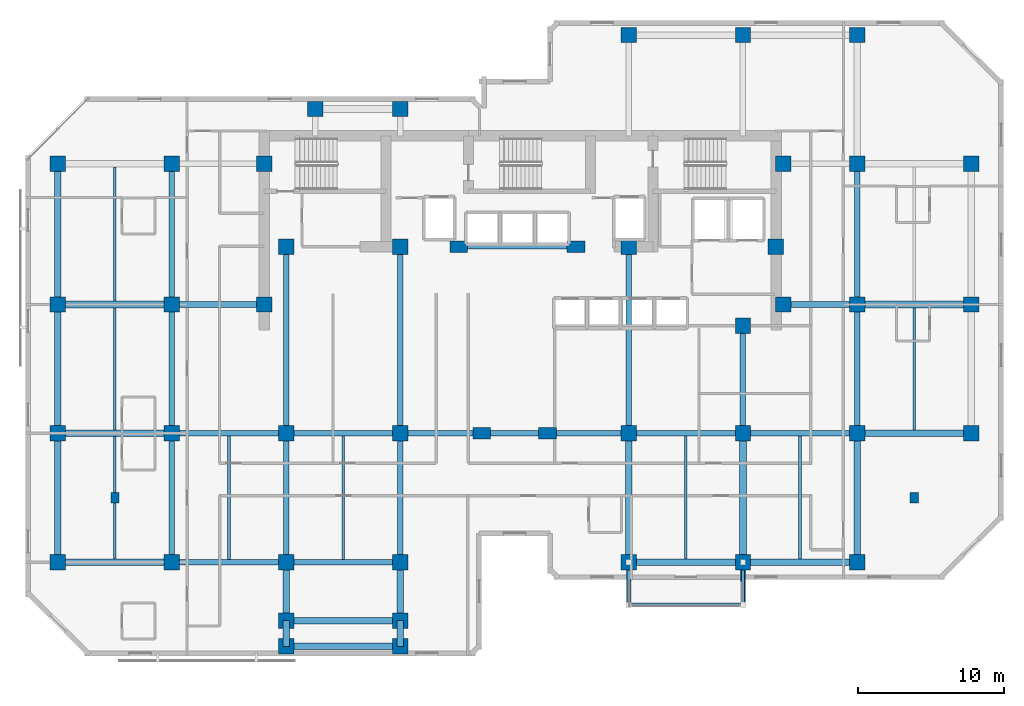
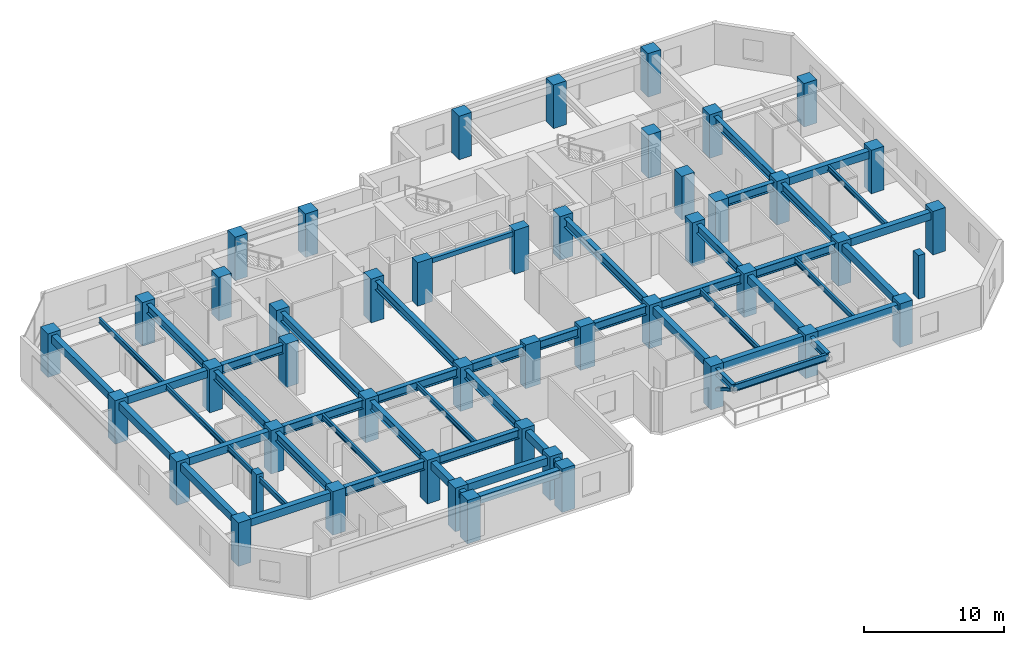
# One storey, part 1 of 11: 53 beams, 47 columns, 2 members.
"""IFC4 building model written with IfcOpenShell, lengths in metres."""

from ifc_helpers import new_model, si_unit, direction, frame, origin, origin_2d, place, context, subcontext, project, spatial, rectangle, hollow_rectangle, i_section, extrude, material, material_profile, profile_set, type_object, element, save


model = new_model("IFC4")

# Units and contexts
model_context = context("Model", 3, precision=1e-05, world=origin(), true_north=direction((0.0, 1.0)))
body_context = subcontext(model_context, "Body", "Model", "MODEL_VIEW")
ifc_project = project(units=[si_unit("LENGTHUNIT", "METRE"), si_unit("AREAUNIT", "SQUARE_METRE"), si_unit("VOLUMEUNIT", "CUBIC_METRE"), si_unit("PLANEANGLEUNIT", "RADIAN"), si_unit("MASSUNIT", "GRAM", prefix="KILO")], contexts=[model_context])

# Site, building, storey
site_placement = place(None, origin())
site = spatial("IfcSite", under=ifc_project, at=site_placement, CompositionType="ELEMENT")
building_placement = place(site_placement, origin())
building = spatial("IfcBuilding", under=site, at=building_placement, Name="Kestravale Grand Hotel", CompositionType="ELEMENT")
storey_placement = place(building_placement, frame((0.0, 0.0, 157.39990234375)))
storey = spatial("IfcBuildingStorey", under=building, at=storey_placement, Name="L39", CompositionType="ELEMENT", Elevation=157.39990234375)

# Columns
ifc_material_1 = material(Name="Concrete f'c 60 MPa", Category="concrete")
ifc_material_profile_1 = material_profile(ifc_material_1, rectangle(XDim=1.050048828125, YDim=1.050048828125, at=origin_2d()))
ifc_profile_set_1 = profile_set([ifc_material_profile_1], Name="Concrete f'c 60 MPa")
column_type_1 = type_object("IfcColumnType", Name="C-Z3-1050", PredefinedType="COLUMN", material=ifc_profile_set_1)
for number, where, z_axis, x_axis, name in (
    (1, (7.800048828125, 11.199951171875, 0.0), (0.0, 0.0, 1.0), (1.0, 0.0, 0.0), "L39 column 2-C"),
    (2, (7.800048828125, 20.0, 0.0), (0.0, 0.0, 1.0), (1.0, 0.0, 0.0), "L39 column 2-D"),
    (3, (7.800048828125, 28.800048828125, 0.0), (0.0, 0.0, 1.0), (1.0, 0.0, 0.0), "L39 column 2-E"),
    (4, (7.800048828125, 38.39990234375, 0.0), (0.0, 0.0, 1.0), (1.0, 0.0, 0.0), "L39 column 2-F"),
    (5, (15.60009765625, 11.199951171875, 0.0), (0.0, 0.0, 1.0), (1.0, 0.0, 0.0), "L39 column 3-C"),
    (6, (15.60009765625, 20.0, 0.0), (0.0, 0.0, 1.0), (1.0, 0.0, 0.0), "L39 column 3-D"),
    (7, (15.60009765625, 28.800048828125, 0.0), (0.0, 0.0, 1.0), (1.0, 0.0, 0.0), "L39 column 3-E"),
    (8, (15.60009765625, 38.39990234375, 0.0), (0.0, 0.0, 1.0), (1.0, 0.0, 0.0), "L39 column 3-F"),
    (9, (23.39990234375, 11.199951171875, 0.0), (0.0, 0.0, 1.0), (1.0, 0.0, 0.0), "L39 column 4-C"),
    (10, (23.39990234375, 20.0, 0.0), (0.0, 0.0, 1.0), (1.0, 0.0, 0.0), "L39 column 4-D"),
    (11, (31.199951171875, 11.199951171875, 0.0), (0.0, 0.0, 1.0), (1.0, 0.0, 0.0), "L39 column 5-C"),
    (12, (31.199951171875, 20.0, 0.0), (0.0, 0.0, 1.0), (1.0, 0.0, 0.0), "L39 column 5-D"),
    (13, (46.800048828125, 11.199951171875, 0.0), (0.0, 0.0, 1.0), (1.0, 0.0, 0.0), "L39 column 8-C"),
    (14, (46.800048828125, 20.0, 0.0), (0.0, 0.0, 1.0), (1.0, 0.0, 0.0), "L39 column 8-D"),
    (15, (46.800048828125, 47.199951171875, 0.0), (0.0, 0.0, 1.0), (1.0, 0.0, 0.0), "L39 column 8-G"),
    (16, (54.60009765625, 11.199951171875, 0.0), (0.0, 0.0, 1.0), (1.0, 0.0, 0.0), "L39 column 9-C"),
    (17, (54.60009765625, 20.0, 0.0), (0.0, 0.0, 1.0), (1.0, 0.0, 0.0), "L39 column 9-D"),
    (18, (54.60009765625, 47.199951171875, 0.0), (0.0, 0.0, 1.0), (1.0, 0.0, 0.0), "L39 column 9-G"),
    (19, (62.39990234375, 11.199951171875, 0.0), (0.0, 0.0, 1.0), (1.0, 0.0, 0.0), "L39 column 10-C"),
    (20, (62.39990234375, 20.0, 0.0), (0.0, 0.0, 1.0), (1.0, 0.0, 0.0), "L39 column 10-D"),
    (21, (62.39990234375, 28.800048828125, 0.0), (0.0, 0.0, 1.0), (1.0, 0.0, 0.0), "L39 column 10-E"),
    (22, (62.39990234375, 38.39990234375, 0.0), (0.0, 0.0, 1.0), (1.0, 0.0, 0.0), "L39 column 10-F"),
    (23, (62.39990234375, 47.199951171875, 0.0), (0.0, 0.0, 1.0), (1.0, 0.0, 0.0), "L39 column 10-G"),
    (24, (70.199951171875, 20.0, 0.0), (0.0, 0.0, 1.0), (1.0, 0.0, 0.0), "L39 column 11-D"),
    (25, (70.199951171875, 28.800048828125, 0.0), (0.0, 0.0, 1.0), (1.0, 0.0, 0.0), "L39 column 11-E"),
    (26, (70.199951171875, 38.39990234375, 0.0), (0.0, 0.0, 1.0), (1.0, 0.0, 0.0), "L39 column 11-F"),
    (27, (21.89990234375, 28.800048828125, 0.0), (0.0, 0.0, 1.0), (1.0, 0.0, 0.0), "L39 column CW-E"),
    (28, (21.89990234375, 38.39990234375, 0.0), (0.0, 0.0, 1.0), (1.0, 0.0, 0.0), "L39 column CW-F"),
    (29, (57.35009765625, 28.800048828125, 0.0), (0.0, 0.0, 1.0), (1.0, 0.0, 0.0), "L39 column CE-E"),
    (30, (57.35009765625, 38.39990234375, 0.0), (0.0, 0.0, 1.0), (1.0, 0.0, 0.0), "L39 column CE-F"),
    (31, (23.39990234375, 32.75, 0.0), (0.0, 0.0, 1.0), (1.0, 0.0, 0.0), "L39 column 4-CS"),
    (32, (31.199951171875, 32.75, 0.0), (0.0, 0.0, 1.0), (1.0, 0.0, 0.0), "L39 column 5-CS"),
    (33, (46.800048828125, 32.75, 0.0), (0.0, 0.0, 1.0), (1.0, 0.0, 0.0), "L39 column 8-CS"),
    (34, (54.60009765625, 27.35009765625, 0.0), (0.0, 0.0, 1.0), (1.0, 0.0, 0.0), "L39 column 9-CS"),
    (35, (56.85009765625, 32.75, 0.0), (0.0, 0.0, 1.0), (1.0, 0.0, 0.0), "L39 column 9C-CS"),
    (36, (23.39990234375, 7.199951171875, 0.0), (0.0, 0.0, 1.0), (1.0, 0.0, 0.0), "L39 column 4-BS"),
    (37, (31.199951171875, 7.199951171875, 0.0), (0.0, 0.0, 1.0), (1.0, 0.0, 0.0), "L39 column 5-BS"),
    (38, (25.39990234375, 42.14990234375, 0.0), (0.0, 0.0, 1.0), (1.0, 0.0, 0.0), "L39 column 4-FN"),
    (39, (31.199951171875, 42.14990234375, 0.0), (0.0, 0.0, 1.0), (1.0, 0.0, 0.0), "L39 column 5-FN"),
    (40, (23.39990234375, 5.449951171875, 0.0), (0.0, 0.0, 1.0), (1.0, 0.0, 0.0), "L39 column 4-B1S"),
    (41, (31.199951171875, 5.449951171875, 0.0), (0.0, 0.0, 1.0), (1.0, 0.0, 0.0), "L39 column 5-B1S"),
):
    element("IfcColumn", number, at=place(storey_placement, frame(where, z_axis=z_axis, x_axis=x_axis)), inside=storey, type_object=column_type_1, Name=name, PredefinedType="COLUMN", context=body_context, shape_type="SweptSolid", body=[
        extrude(rectangle(XDim=1.050048828125, YDim=1.050048828125, at=origin_2d()), origin(), (0.0, 0.0, 1.0), 3.800048828125),
    ])
ifc_material_2 = material(Name="Concrete f'c 60 MPa", Category="concrete")
ifc_material_profile_2 = material_profile(ifc_material_2, rectangle(XDim=1.199951171875, YDim=0.800048828125, at=origin_2d()))
ifc_profile_set_2 = profile_set([ifc_material_profile_2], Name="Concrete f'c 60 MPa")
column_type_2 = type_object("IfcColumnType", Name="C-Z3-1200X800", PredefinedType="COLUMN", material=ifc_profile_set_2)
for number, where, z_axis, x_axis, name in (
    (42, (36.75, 20.0, 0.0), (0.0, 0.0, 1.0), (1.0, 0.0, 0.0), "L39 column 6-D"),
    (43, (41.25, 20.0, 0.0), (0.0, 0.0, 1.0), (1.0, 0.0, 0.0), "L39 column 7-D"),
    (44, (35.199951171875, 32.75, 0.0), (0.0, 0.0, 1.0), (1.0, 0.0, 0.0), "L39 column 6C-CS"),
    (45, (43.199951171875, 32.75, 0.0), (0.0, 0.0, 1.0), (1.0, 0.0, 0.0), "L39 column 7C-CS"),
):
    element("IfcColumn", number, at=place(storey_placement, frame(where, z_axis=z_axis, x_axis=x_axis)), inside=storey, type_object=column_type_2, Name=name, PredefinedType="COLUMN", context=body_context, shape_type="SweptSolid", body=[
        extrude(rectangle(XDim=1.199951171875, YDim=0.800048828125, at=origin_2d()), origin(), (0.0, 0.0, 1.0), 3.800048828125),
    ])
ifc_material_3 = material(Name="Precast concrete f'c 45 MPa", Category="concrete")
ifc_material_profile_3 = material_profile(ifc_material_3, rectangle(XDim=0.550048828125, YDim=0.75, at=origin_2d()))
ifc_profile_set_3 = profile_set([ifc_material_profile_3], Name="Precast concrete f'c 45 MPa")
column_type_3 = type_object("IfcColumnType", Name="C-Z3-PIL750", PredefinedType="PILASTER", material=ifc_profile_set_3)
for number, where, z_axis, x_axis, name in (
    (46, (11.699951171875, 15.60009765625, 0.0), (0.0, 0.0, 1.0), (1.0, 0.0, 0.0), "L39 Art Deco fluted pilaster P1"),
    (47, (66.300048828125, 15.60009765625, 0.0), (0.0, 0.0, 1.0), (1.0, 0.0, 0.0), "L39 Art Deco fluted pilaster P2"),
):
    element("IfcColumn", number, at=place(storey_placement, frame(where, z_axis=z_axis, x_axis=x_axis)), inside=storey, type_object=column_type_3, Name=name, PredefinedType="PILASTER", context=body_context, shape_type="SweptSolid", body=[
        extrude(rectangle(XDim=0.550048828125, YDim=0.75, at=origin_2d()), origin(), (0.0, 0.0, 1.0), 3.800048828125),
    ])

# Beams
ifc_material_4 = material(Name="Steel ASTM A992 Grade 50", Category="steel")
ifc_material_profile_4 = material_profile(ifc_material_4, i_section(OverallWidth=0.19091796875, OverallDepth=0.45703125, WebThickness=0.009033203125, FlangeThickness=0.014404296875, FilletRadius=0.015380859375, at=origin_2d()))
ifc_profile_set_4 = profile_set([ifc_material_profile_4], Name="Steel ASTM A992 Grade 50")
beam_type_1 = type_object("IfcBeamType", Name="B-FLR-JST18", PredefinedType="JOIST", material=ifc_profile_set_4)
for number, where, z_axis, x_axis, name in (
    (48, (11.699951171875, 11.425048828125, 3.321533203125), (0.0, 1.0, 0.0), (-1.0, 0.0, 0.0), "L39 floor joist 2-3/C-D #1"),
    (49, (11.699951171875, 20.22509765625, 3.321533203125), (0.0, 1.0, 0.0), (-1.0, 0.0, 0.0), "L39 floor joist 2-3/D-E #1"),
):
    element("IfcBeam", number, at=place(storey_placement, frame(where, z_axis=z_axis, x_axis=x_axis)), inside=storey, type_object=beam_type_1, Name=name, PredefinedType="JOIST", context=body_context, shape_type="SweptSolid", body=[
        extrude(i_section(OverallWidth=0.19091796875, OverallDepth=0.45703125, WebThickness=0.009033203125, FlangeThickness=0.014404296875, FilletRadius=0.015380859375, at=origin_2d()), origin(), (0.0, 0.0, 1.0), 8.349853515625),
    ])
beam_1_placement = place(storey_placement, frame((11.699951171875, 29.02490234375, 3.321533203125), z_axis=(0.0, 1.0, 0.0), x_axis=(-1.0, 0.0, 0.0)))
element("IfcBeam", 50, at=beam_1_placement, inside=storey, type_object=beam_type_1, Name="L39 floor joist 2-3/E-F #1", PredefinedType="JOIST", context=body_context, shape_type="SweptSolid", body=[
    extrude(i_section(OverallWidth=0.19091796875, OverallDepth=0.45703125, WebThickness=0.009033203125, FlangeThickness=0.014404296875, FilletRadius=0.015380859375, at=origin_2d()), origin(), (0.0, 0.0, 1.0), 9.150146484375),
])
for number, where, z_axis, x_axis, name in (
    (51, (19.5, 11.390380859375, 3.321533203125), (0.0, 1.0, 0.0), (-1.0, 0.0, 0.0), "L39 floor joist 3-4/C-D #1"),
    (52, (27.300048828125, 11.390380859375, 3.321533203125), (0.0, 1.0, 0.0), (-1.0, 0.0, 0.0), "L39 floor joist 4-5/C-D #1"),
):
    element("IfcBeam", number, at=place(storey_placement, frame(where, z_axis=z_axis, x_axis=x_axis)), inside=storey, type_object=beam_type_1, Name=name, PredefinedType="JOIST", context=body_context, shape_type="SweptSolid", body=[
        extrude(i_section(OverallWidth=0.19091796875, OverallDepth=0.45703125, WebThickness=0.009033203125, FlangeThickness=0.014404296875, FilletRadius=0.015380859375, at=origin_2d()), origin(), (0.0, 0.0, 1.0), 8.419189453125),
    ])
for number, where, z_axis, x_axis, name in (
    (53, (50.699951171875, 11.425048828125, 3.321533203125), (0.0, 1.0, 0.0), (-1.0, 0.0, 0.0), "L39 floor joist 8-9/C-D #1"),
    (54, (58.5, 11.425048828125, 3.321533203125), (0.0, 1.0, 0.0), (-1.0, 0.0, 0.0), "L39 floor joist 9-10/C-D #1"),
):
    element("IfcBeam", number, at=place(storey_placement, frame(where, z_axis=z_axis, x_axis=x_axis)), inside=storey, type_object=beam_type_1, Name=name, PredefinedType="JOIST", context=body_context, shape_type="SweptSolid", body=[
        extrude(i_section(OverallWidth=0.19091796875, OverallDepth=0.45703125, WebThickness=0.009033203125, FlangeThickness=0.014404296875, FilletRadius=0.015380859375, at=origin_2d()), origin(), (0.0, 0.0, 1.0), 8.384521484375),
    ])
beam_2_placement = place(storey_placement, frame((66.300048828125, 20.22509765625, 3.321533203125), z_axis=(0.0, 1.0, 0.0), x_axis=(-1.0, 0.0, 0.0)))
element("IfcBeam", 55, at=beam_2_placement, inside=storey, type_object=beam_type_1, Name="L39 floor joist 10-11/D-E #1", PredefinedType="JOIST", context=body_context, shape_type="SweptSolid", body=[
    extrude(i_section(OverallWidth=0.19091796875, OverallDepth=0.45703125, WebThickness=0.009033203125, FlangeThickness=0.014404296875, FilletRadius=0.015380859375, at=origin_2d()), origin(), (0.0, 0.0, 1.0), 8.349853515625),
])
ifc_material_5 = material(Name="Concrete f'c 45 MPa", Category="concrete")
ifc_material_profile_5 = material_profile(ifc_material_5, rectangle(XDim=0.300048828125, YDim=0.39990234375, at=origin_2d()))
ifc_profile_set_5 = profile_set([ifc_material_profile_5], Name="Concrete f'c 45 MPa")
beam_type_2 = type_object("IfcBeamType", Name="B-FLR-LNT400", PredefinedType="LINTEL", material=ifc_profile_set_5)
beam_3_placement = place(storey_placement, frame((35.199951171875, 32.75, 3.35009765625), z_axis=(1.0, 0.0, 0.0), x_axis=(0.0, 1.0, 0.0)))
element("IfcBeam", 56, at=beam_3_placement, inside=storey, type_object=beam_type_2, Name="L39 core portal header lintel", PredefinedType="LINTEL", context=body_context, shape_type="SweptSolid", body=[
    extrude(rectangle(XDim=0.300048828125, YDim=0.39990234375, at=origin_2d()), origin(), (0.0, 0.0, 1.0), 8.0),
])
ifc_material_6 = material(Name="Concrete f'c 45 MPa", Category="concrete")
ifc_material_profile_6 = material_profile(ifc_material_6, rectangle(XDim=0.449951171875, YDim=0.64990234375, at=origin_2d()))
ifc_profile_set_6 = profile_set([ifc_material_profile_6], Name="Concrete f'c 45 MPa")
beam_type_3 = type_object("IfcBeamType", Name="B-FLR-RC650", PredefinedType="SPANDREL", material=ifc_profile_set_6)
for number, where, z_axis, x_axis, name in (
    (57, (7.800048828125, 11.199951171875, 3.22509765625), (1.0, 0.0, 0.0), (0.0, 1.0, 0.0), "L39 spandrel C:2-3"),
    (58, (46.800048828125, 11.199951171875, 3.22509765625), (1.0, 0.0, 0.0), (0.0, 1.0, 0.0), "L39 spandrel C:8-9"),
):
    element("IfcBeam", number, at=place(storey_placement, frame(where, z_axis=z_axis, x_axis=x_axis)), inside=storey, type_object=beam_type_3, Name=name, PredefinedType="SPANDREL", context=body_context, shape_type="SweptSolid", body=[
        extrude(rectangle(XDim=0.449951171875, YDim=0.64990234375, at=origin_2d()), origin(), (0.0, 0.0, 1.0), 7.800048828125),
    ])
beam_4_placement = place(storey_placement, frame((54.60009765625, 11.199951171875, 3.22509765625), z_axis=(1.0, 0.0, 0.0), x_axis=(0.0, 1.0, 0.0)))
element("IfcBeam", 59, at=beam_4_placement, inside=storey, type_object=beam_type_3, Name="L39 spandrel C:9-10", PredefinedType="SPANDREL", context=body_context, shape_type="SweptSolid", body=[
    extrude(rectangle(XDim=0.449951171875, YDim=0.64990234375, at=origin_2d()), origin(), (0.0, 0.0, 1.0), 7.7998046875),
])
for number, where, z_axis, x_axis, name in (
    (60, (7.800048828125, 20.0, 3.22509765625), (1.0, 0.0, 0.0), (0.0, 1.0, 0.0), "L39 spandrel D:2-3"),
    (61, (62.39990234375, 20.0, 3.22509765625), (1.0, 0.0, 0.0), (0.0, 1.0, 0.0), "L39 spandrel D:10-11"),
    (62, (7.800048828125, 28.800048828125, 3.22509765625), (1.0, 0.0, 0.0), (0.0, 1.0, 0.0), "L39 spandrel E:2-3"),
    (63, (62.39990234375, 28.800048828125, 3.22509765625), (1.0, 0.0, 0.0), (0.0, 1.0, 0.0), "L39 spandrel E:10-11"),
    (64, (23.39990234375, 5.449951171875, 3.22509765625), (1.0, 0.0, 0.0), (0.0, 1.0, 0.0), "L39 perimeter tie spandrel B1S:4-5"),
    (65, (23.39990234375, 7.199951171875, 3.22509765625), (1.0, 0.0, 0.0), (0.0, 1.0, 0.0), "L39 perimeter tie spandrel BS:4-5"),
):
    element("IfcBeam", number, at=place(storey_placement, frame(where, z_axis=z_axis, x_axis=x_axis)), inside=storey, type_object=beam_type_3, Name=name, PredefinedType="SPANDREL", context=body_context, shape_type="SweptSolid", body=[
        extrude(rectangle(XDim=0.449951171875, YDim=0.64990234375, at=origin_2d()), origin(), (0.0, 0.0, 1.0), 7.800048828125),
    ])
for number, where, z_axis, x_axis, name in (
    (66, (7.800048828125, 11.199951171875, 3.22509765625), (0.0, 1.0, 0.0), (-1.0, 0.0, 0.0), "L39 spandrel 2:C-D"),
    (67, (7.800048828125, 20.0, 3.22509765625), (0.0, 1.0, 0.0), (-1.0, 0.0, 0.0), "L39 spandrel 2:D-E"),
):
    element("IfcBeam", number, at=place(storey_placement, frame(where, z_axis=z_axis, x_axis=x_axis)), inside=storey, type_object=beam_type_3, Name=name, PredefinedType="SPANDREL", context=body_context, shape_type="SweptSolid", body=[
        extrude(rectangle(XDim=0.449951171875, YDim=0.64990234375, at=origin_2d()), origin(), (0.0, 0.0, 1.0), 8.800048828125),
    ])
beam_5_placement = place(storey_placement, frame((7.800048828125, 28.800048828125, 3.22509765625), z_axis=(0.0, 1.0, 0.0), x_axis=(-1.0, 0.0, 0.0)))
element("IfcBeam", 68, at=beam_5_placement, inside=storey, type_object=beam_type_3, Name="L39 spandrel 2:E-F", PredefinedType="SPANDREL", context=body_context, shape_type="SweptSolid", body=[
    extrude(rectangle(XDim=0.449951171875, YDim=0.64990234375, at=origin_2d()), origin(), (0.0, 0.0, 1.0), 9.599853515625),
])
beam_6_placement = place(storey_placement, frame((23.39990234375, 5.449951171875, 3.22509765625), z_axis=(0.0, 1.0, 0.0), x_axis=(-1.0, 0.0, 0.0)))
element("IfcBeam", 69, at=beam_6_placement, inside=storey, type_object=beam_type_3, Name="L39 spandrel 4:B1S-BS", PredefinedType="SPANDREL", context=body_context, shape_type="SweptSolid", body=[
    extrude(rectangle(XDim=0.449951171875, YDim=0.64990234375, at=origin_2d()), origin(), (0.0, 0.0, 1.0), 1.75),
])
beam_7_placement = place(storey_placement, frame((23.39990234375, 7.199951171875, 3.22509765625), z_axis=(0.0, 1.0, 0.0), x_axis=(-1.0, 0.0, 0.0)))
element("IfcBeam", 70, at=beam_7_placement, inside=storey, type_object=beam_type_3, Name="L39 spandrel 4:BS-C", PredefinedType="SPANDREL", context=body_context, shape_type="SweptSolid", body=[
    extrude(rectangle(XDim=0.449951171875, YDim=0.64990234375, at=origin_2d()), origin(), (0.0, 0.0, 1.0), 4.0),
])
beam_8_placement = place(storey_placement, frame((31.199951171875, 5.449951171875, 3.22509765625), z_axis=(0.0, 1.0, 0.0), x_axis=(-1.0, 0.0, 0.0)))
element("IfcBeam", 71, at=beam_8_placement, inside=storey, type_object=beam_type_3, Name="L39 spandrel 5:B1S-BS", PredefinedType="SPANDREL", context=body_context, shape_type="SweptSolid", body=[
    extrude(rectangle(XDim=0.449951171875, YDim=0.64990234375, at=origin_2d()), origin(), (0.0, 0.0, 1.0), 1.75),
])
beam_9_placement = place(storey_placement, frame((31.199951171875, 7.199951171875, 3.22509765625), z_axis=(0.0, 1.0, 0.0), x_axis=(-1.0, 0.0, 0.0)))
element("IfcBeam", 72, at=beam_9_placement, inside=storey, type_object=beam_type_3, Name="L39 spandrel 5:BS-C", PredefinedType="SPANDREL", context=body_context, shape_type="SweptSolid", body=[
    extrude(rectangle(XDim=0.449951171875, YDim=0.64990234375, at=origin_2d()), origin(), (0.0, 0.0, 1.0), 4.0),
])
for number, where, z_axis, x_axis, name in (
    (73, (46.800048828125, 11.199951171875, 3.22509765625), (0.0, 1.0, 0.0), (-1.0, 0.0, 0.0), "L39 spandrel 8:C-D"),
    (74, (54.60009765625, 11.199951171875, 3.22509765625), (0.0, 1.0, 0.0), (-1.0, 0.0, 0.0), "L39 spandrel 9:C-D"),
    (75, (62.39990234375, 11.199951171875, 3.22509765625), (0.0, 1.0, 0.0), (-1.0, 0.0, 0.0), "L39 spandrel 10:C-D"),
):
    element("IfcBeam", number, at=place(storey_placement, frame(where, z_axis=z_axis, x_axis=x_axis)), inside=storey, type_object=beam_type_3, Name=name, PredefinedType="SPANDREL", context=body_context, shape_type="SweptSolid", body=[
        extrude(rectangle(XDim=0.449951171875, YDim=0.64990234375, at=origin_2d()), origin(), (0.0, 0.0, 1.0), 8.800048828125),
    ])
ifc_material_7 = material(Name="Steel ASTM A992 Grade 50", Category="steel")
ifc_material_profile_7 = material_profile(ifc_material_7, i_section(OverallWidth=0.324951171875, OverallDepth=0.612060546875, WebThickness=0.0126953125, FlangeThickness=0.01904296875, FilletRadius=0.018798828125, at=origin_2d()))
ifc_profile_set_7 = profile_set([ifc_material_profile_7], Name="Steel ASTM A992 Grade 50")
beam_type_4 = type_object("IfcBeamType", Name="B-FLR-W24A", PredefinedType="SPANDREL", material=ifc_profile_set_7)
for number, where, z_axis, x_axis, name in (
    (76, (46.800048828125, 11.199951171875, 3.22412109375), (0.0, -1.0, 0.0), (1.0, 0.0, 0.0), "L40 terrace cantilever beam 1"),
    (77, (54.60009765625, 11.199951171875, 3.22412109375), (0.0, -1.0, 0.0), (1.0, 0.0, 0.0), "L40 terrace cantilever beam 2"),
):
    element("IfcBeam", number, at=place(storey_placement, frame(where, z_axis=z_axis, x_axis=x_axis)), inside=storey, type_object=beam_type_4, Name=name, PredefinedType="SPANDREL", context=body_context, shape_type="SweptSolid", body=[
        extrude(i_section(OverallWidth=0.324951171875, OverallDepth=0.612060546875, WebThickness=0.0126953125, FlangeThickness=0.01904296875, FilletRadius=0.018798828125, at=origin_2d()), origin(), (0.0, 0.0, 1.0), 2.89990234375),
    ])
ifc_material_8 = material(Name="Steel ASTM A992 Grade 50", Category="steel")
ifc_material_profile_8 = material_profile(ifc_material_8, i_section(OverallWidth=0.22900390625, OverallDepth=0.612060546875, WebThickness=0.011962890625, FlangeThickness=0.01953125, FilletRadius=0.019287109375, at=origin_2d()))
ifc_profile_set_8 = profile_set([ifc_material_profile_8], Name="Steel ASTM A992 Grade 50")
beam_type_5 = type_object("IfcBeamType", Name="B-FLR-W24B", PredefinedType="SPANDREL", material=ifc_profile_set_8)
beam_10_placement = place(storey_placement, frame((46.800048828125, 8.300048828125, 3.22412109375), z_axis=(1.0, 0.0, 0.0), x_axis=(0.0, 1.0, 0.0)))
element("IfcBeam", 78, at=beam_10_placement, inside=storey, type_object=beam_type_5, Name="L40 terrace edge spandrel", PredefinedType="SPANDREL", context=body_context, shape_type="SweptSolid", body=[
    extrude(i_section(OverallWidth=0.22900390625, OverallDepth=0.612060546875, WebThickness=0.011962890625, FlangeThickness=0.01953125, FilletRadius=0.019287109375, at=origin_2d()), origin(), (0.0, 0.0, 1.0), 7.800048828125),
])
ifc_material_9 = material(Name="Steel ASTM A992 Grade 50", Category="steel")
ifc_material_profile_9 = material_profile(ifc_material_9, i_section(OverallWidth=0.381103515625, OverallDepth=0.77197265625, WebThickness=0.0166015625, FlangeThickness=0.027099609375, FilletRadius=0.023681640625, at=origin_2d()))
ifc_profile_set_9 = profile_set([ifc_material_profile_9], Name="Steel ASTM A992 Grade 50")
beam_type_6 = type_object("IfcBeamType", Name="B-GRD-W30", PredefinedType="BEAM", material=ifc_profile_set_9)
beam_11_placement = place(storey_placement, frame((15.60009765625, 11.199951171875, 3.1640625), z_axis=(1.0, 0.0, 0.0), x_axis=(0.0, 1.0, 0.0)))
element("IfcBeam", 79, at=beam_11_placement, inside=storey, type_object=beam_type_6, Name="L39 girder C:3-4", PredefinedType="BEAM", context=body_context, shape_type="SweptSolid", body=[
    extrude(i_section(OverallWidth=0.381103515625, OverallDepth=0.77197265625, WebThickness=0.0166015625, FlangeThickness=0.027099609375, FilletRadius=0.023681640625, at=origin_2d()), origin(), (0.0, 0.0, 1.0), 7.7998046875),
])
beam_12_placement = place(storey_placement, frame((23.39990234375, 11.199951171875, 3.1640625), z_axis=(1.0, 0.0, 0.0), x_axis=(0.0, 1.0, 0.0)))
element("IfcBeam", 80, at=beam_12_placement, inside=storey, type_object=beam_type_6, Name="L39 girder C:4-5", PredefinedType="BEAM", context=body_context, shape_type="SweptSolid", body=[
    extrude(i_section(OverallWidth=0.381103515625, OverallDepth=0.77197265625, WebThickness=0.0166015625, FlangeThickness=0.027099609375, FilletRadius=0.023681640625, at=origin_2d()), origin(), (0.0, 0.0, 1.0), 7.800048828125),
])
beam_13_placement = place(storey_placement, frame((15.60009765625, 20.0, 3.1640625), z_axis=(1.0, 0.0, 0.0), x_axis=(0.0, 1.0, 0.0)))
element("IfcBeam", 81, at=beam_13_placement, inside=storey, type_object=beam_type_6, Name="L39 girder D:3-4", PredefinedType="BEAM", context=body_context, shape_type="SweptSolid", body=[
    extrude(i_section(OverallWidth=0.381103515625, OverallDepth=0.77197265625, WebThickness=0.0166015625, FlangeThickness=0.027099609375, FilletRadius=0.023681640625, at=origin_2d()), origin(), (0.0, 0.0, 1.0), 7.7998046875),
])
beam_14_placement = place(storey_placement, frame((23.39990234375, 20.0, 3.1640625), z_axis=(1.0, 0.0, 0.0), x_axis=(0.0, 1.0, 0.0)))
element("IfcBeam", 82, at=beam_14_placement, inside=storey, type_object=beam_type_6, Name="L39 girder D:4-5", PredefinedType="BEAM", context=body_context, shape_type="SweptSolid", body=[
    extrude(i_section(OverallWidth=0.381103515625, OverallDepth=0.77197265625, WebThickness=0.0166015625, FlangeThickness=0.027099609375, FilletRadius=0.023681640625, at=origin_2d()), origin(), (0.0, 0.0, 1.0), 7.800048828125),
])
beam_15_placement = place(storey_placement, frame((31.199951171875, 20.0, 3.1640625), z_axis=(1.0, 0.0, 0.0), x_axis=(0.0, 1.0, 0.0)))
element("IfcBeam", 83, at=beam_15_placement, inside=storey, type_object=beam_type_6, Name="L39 girder D:5-6", PredefinedType="BEAM", context=body_context, shape_type="SweptSolid", body=[
    extrude(i_section(OverallWidth=0.381103515625, OverallDepth=0.77197265625, WebThickness=0.0166015625, FlangeThickness=0.027099609375, FilletRadius=0.023681640625, at=origin_2d()), origin(), (0.0, 0.0, 1.0), 5.550048828125),
])
beam_16_placement = place(storey_placement, frame((36.75, 20.0, 3.1640625), z_axis=(1.0, 0.0, 0.0), x_axis=(0.0, 1.0, 0.0)))
element("IfcBeam", 84, at=beam_16_placement, inside=storey, type_object=beam_type_6, Name="L39 girder D:6-7", PredefinedType="BEAM", context=body_context, shape_type="SweptSolid", body=[
    extrude(i_section(OverallWidth=0.381103515625, OverallDepth=0.77197265625, WebThickness=0.0166015625, FlangeThickness=0.027099609375, FilletRadius=0.023681640625, at=origin_2d()), origin(), (0.0, 0.0, 1.0), 4.5),
])
beam_17_placement = place(storey_placement, frame((41.25, 20.0, 3.1640625), z_axis=(1.0, 0.0, 0.0), x_axis=(0.0, 1.0, 0.0)))
element("IfcBeam", 85, at=beam_17_placement, inside=storey, type_object=beam_type_6, Name="L39 girder D:7-8", PredefinedType="BEAM", context=body_context, shape_type="SweptSolid", body=[
    extrude(i_section(OverallWidth=0.381103515625, OverallDepth=0.77197265625, WebThickness=0.0166015625, FlangeThickness=0.027099609375, FilletRadius=0.023681640625, at=origin_2d()), origin(), (0.0, 0.0, 1.0), 5.550048828125),
])
beam_18_placement = place(storey_placement, frame((46.800048828125, 20.0, 3.1640625), z_axis=(1.0, 0.0, 0.0), x_axis=(0.0, 1.0, 0.0)))
element("IfcBeam", 86, at=beam_18_placement, inside=storey, type_object=beam_type_6, Name="L39 girder D:8-9", PredefinedType="BEAM", context=body_context, shape_type="SweptSolid", body=[
    extrude(i_section(OverallWidth=0.381103515625, OverallDepth=0.77197265625, WebThickness=0.0166015625, FlangeThickness=0.027099609375, FilletRadius=0.023681640625, at=origin_2d()), origin(), (0.0, 0.0, 1.0), 7.800048828125),
])
beam_19_placement = place(storey_placement, frame((54.60009765625, 20.0, 3.1640625), z_axis=(1.0, 0.0, 0.0), x_axis=(0.0, 1.0, 0.0)))
element("IfcBeam", 87, at=beam_19_placement, inside=storey, type_object=beam_type_6, Name="L39 girder D:9-10", PredefinedType="BEAM", context=body_context, shape_type="SweptSolid", body=[
    extrude(i_section(OverallWidth=0.381103515625, OverallDepth=0.77197265625, WebThickness=0.0166015625, FlangeThickness=0.027099609375, FilletRadius=0.023681640625, at=origin_2d()), origin(), (0.0, 0.0, 1.0), 7.7998046875),
])
beam_20_placement = place(storey_placement, frame((15.60009765625, 28.800048828125, 3.1640625), z_axis=(1.0, 0.0, 0.0), x_axis=(0.0, 1.0, 0.0)))
element("IfcBeam", 88, at=beam_20_placement, inside=storey, type_object=beam_type_6, Name="L39 girder E:3-CW", PredefinedType="BEAM", context=body_context, shape_type="SweptSolid", body=[
    extrude(i_section(OverallWidth=0.381103515625, OverallDepth=0.77197265625, WebThickness=0.0166015625, FlangeThickness=0.027099609375, FilletRadius=0.023681640625, at=origin_2d()), origin(), (0.0, 0.0, 1.0), 6.2998046875),
])
beam_21_placement = place(storey_placement, frame((57.35009765625, 28.800048828125, 3.1640625), z_axis=(1.0, 0.0, 0.0), x_axis=(0.0, 1.0, 0.0)))
element("IfcBeam", 89, at=beam_21_placement, inside=storey, type_object=beam_type_6, Name="L39 girder E:CE-10", PredefinedType="BEAM", context=body_context, shape_type="SweptSolid", body=[
    extrude(i_section(OverallWidth=0.381103515625, OverallDepth=0.77197265625, WebThickness=0.0166015625, FlangeThickness=0.027099609375, FilletRadius=0.023681640625, at=origin_2d()), origin(), (0.0, 0.0, 1.0), 5.0498046875),
])
for number, where, z_axis, x_axis, name in (
    (90, (15.60009765625, 11.199951171875, 3.1640625), (0.0, 1.0, 0.0), (-1.0, 0.0, 0.0), "L39 girder 3:C-D"),
    (91, (15.60009765625, 20.0, 3.1640625), (0.0, 1.0, 0.0), (-1.0, 0.0, 0.0), "L39 girder 3:D-E"),
):
    element("IfcBeam", number, at=place(storey_placement, frame(where, z_axis=z_axis, x_axis=x_axis)), inside=storey, type_object=beam_type_6, Name=name, PredefinedType="BEAM", context=body_context, shape_type="SweptSolid", body=[
        extrude(i_section(OverallWidth=0.381103515625, OverallDepth=0.77197265625, WebThickness=0.0166015625, FlangeThickness=0.027099609375, FilletRadius=0.023681640625, at=origin_2d()), origin(), (0.0, 0.0, 1.0), 8.800048828125),
    ])
beam_22_placement = place(storey_placement, frame((15.60009765625, 28.800048828125, 3.1640625), z_axis=(0.0, 1.0, 0.0), x_axis=(-1.0, 0.0, 0.0)))
element("IfcBeam", 92, at=beam_22_placement, inside=storey, type_object=beam_type_6, Name="L39 girder 3:E-F", PredefinedType="BEAM", context=body_context, shape_type="SweptSolid", body=[
    extrude(i_section(OverallWidth=0.381103515625, OverallDepth=0.77197265625, WebThickness=0.0166015625, FlangeThickness=0.027099609375, FilletRadius=0.023681640625, at=origin_2d()), origin(), (0.0, 0.0, 1.0), 9.599853515625),
])
beam_23_placement = place(storey_placement, frame((23.39990234375, 11.199951171875, 3.1640625), z_axis=(0.0, 1.0, 0.0), x_axis=(-1.0, 0.0, 0.0)))
element("IfcBeam", 93, at=beam_23_placement, inside=storey, type_object=beam_type_6, Name="L39 girder 4:C-D", PredefinedType="BEAM", context=body_context, shape_type="SweptSolid", body=[
    extrude(i_section(OverallWidth=0.381103515625, OverallDepth=0.77197265625, WebThickness=0.0166015625, FlangeThickness=0.027099609375, FilletRadius=0.023681640625, at=origin_2d()), origin(), (0.0, 0.0, 1.0), 8.800048828125),
])
beam_24_placement = place(storey_placement, frame((23.39990234375, 20.0, 3.1640625), z_axis=(0.0, 1.0, 0.0), x_axis=(-1.0, 0.0, 0.0)))
element("IfcBeam", 94, at=beam_24_placement, inside=storey, type_object=beam_type_6, Name="L39 girder 4:D-CS", PredefinedType="BEAM", context=body_context, shape_type="SweptSolid", body=[
    extrude(i_section(OverallWidth=0.381103515625, OverallDepth=0.77197265625, WebThickness=0.0166015625, FlangeThickness=0.027099609375, FilletRadius=0.023681640625, at=origin_2d()), origin(), (0.0, 0.0, 1.0), 12.75),
])
beam_25_placement = place(storey_placement, frame((31.199951171875, 11.199951171875, 3.1640625), z_axis=(0.0, 1.0, 0.0), x_axis=(-1.0, 0.0, 0.0)))
element("IfcBeam", 95, at=beam_25_placement, inside=storey, type_object=beam_type_6, Name="L39 girder 5:C-D", PredefinedType="BEAM", context=body_context, shape_type="SweptSolid", body=[
    extrude(i_section(OverallWidth=0.381103515625, OverallDepth=0.77197265625, WebThickness=0.0166015625, FlangeThickness=0.027099609375, FilletRadius=0.023681640625, at=origin_2d()), origin(), (0.0, 0.0, 1.0), 8.800048828125),
])
for number, where, z_axis, x_axis, name in (
    (96, (31.199951171875, 20.0, 3.1640625), (0.0, 1.0, 0.0), (-1.0, 0.0, 0.0), "L39 girder 5:D-CS"),
    (97, (46.800048828125, 20.0, 3.1640625), (0.0, 1.0, 0.0), (-1.0, 0.0, 0.0), "L39 girder 8:D-CS"),
):
    element("IfcBeam", number, at=place(storey_placement, frame(where, z_axis=z_axis, x_axis=x_axis)), inside=storey, type_object=beam_type_6, Name=name, PredefinedType="BEAM", context=body_context, shape_type="SweptSolid", body=[
        extrude(i_section(OverallWidth=0.381103515625, OverallDepth=0.77197265625, WebThickness=0.0166015625, FlangeThickness=0.027099609375, FilletRadius=0.023681640625, at=origin_2d()), origin(), (0.0, 0.0, 1.0), 12.75),
    ])
beam_26_placement = place(storey_placement, frame((54.60009765625, 20.0, 3.1640625), z_axis=(0.0, 1.0, 0.0), x_axis=(-1.0, 0.0, 0.0)))
element("IfcBeam", 98, at=beam_26_placement, inside=storey, type_object=beam_type_6, Name="L39 girder 9:D-CS", PredefinedType="BEAM", context=body_context, shape_type="SweptSolid", body=[
    extrude(i_section(OverallWidth=0.381103515625, OverallDepth=0.77197265625, WebThickness=0.0166015625, FlangeThickness=0.027099609375, FilletRadius=0.023681640625, at=origin_2d()), origin(), (0.0, 0.0, 1.0), 7.35009765625),
])
beam_27_placement = place(storey_placement, frame((62.39990234375, 20.0, 3.1640625), z_axis=(0.0, 1.0, 0.0), x_axis=(-1.0, 0.0, 0.0)))
element("IfcBeam", 99, at=beam_27_placement, inside=storey, type_object=beam_type_6, Name="L39 girder 10:D-E", PredefinedType="BEAM", context=body_context, shape_type="SweptSolid", body=[
    extrude(i_section(OverallWidth=0.381103515625, OverallDepth=0.77197265625, WebThickness=0.0166015625, FlangeThickness=0.027099609375, FilletRadius=0.023681640625, at=origin_2d()), origin(), (0.0, 0.0, 1.0), 8.800048828125),
])
beam_28_placement = place(storey_placement, frame((62.39990234375, 28.800048828125, 3.1640625), z_axis=(0.0, 1.0, 0.0), x_axis=(-1.0, 0.0, 0.0)))
element("IfcBeam", 100, at=beam_28_placement, inside=storey, type_object=beam_type_6, Name="L39 girder 10:E-F", PredefinedType="BEAM", context=body_context, shape_type="SweptSolid", body=[
    extrude(i_section(OverallWidth=0.381103515625, OverallDepth=0.77197265625, WebThickness=0.0166015625, FlangeThickness=0.027099609375, FilletRadius=0.023681640625, at=origin_2d()), origin(), (0.0, 0.0, 1.0), 9.599853515625),
])

# Members
ifc_material_10 = material(Name="Steel ASTM A500 Grade C", Category="steel")
ifc_material_profile_10 = material_profile(ifc_material_10, hollow_rectangle(XDim=0.25, YDim=0.25, WallThickness=0.011962890625, InnerFilletRadius=0.011962890625, OuterFilletRadius=0.02392578125, at=origin_2d()))
ifc_profile_set_10 = profile_set([ifc_material_profile_10], Name="Steel ASTM A500 Grade C")
member_type = type_object("IfcMemberType", Name="M-BLT-STR250", PredefinedType="STRUT", material=ifc_profile_set_10)
for number, where, z_axis, x_axis, name in (
    (101, (46.800048828125, 11.199951171875, 1.3740234375), (0.0, -0.862665189664, 0.505775415122), (1.0, 0.0, 0.0), "L40 terrace knee-brace strut 1"),
    (102, (54.60009765625, 11.199951171875, 1.3740234375), (0.0, -0.862665189664, 0.505775415122), (1.0, 0.0, 0.0), "L40 terrace knee-brace strut 2"),
):
    element("IfcMember", number, at=place(storey_placement, frame(where, z_axis=z_axis, x_axis=x_axis)), inside=storey, type_object=member_type, Name=name, PredefinedType="STRUT", context=body_context, shape_type="SweptSolid", body=[
        extrude(hollow_rectangle(XDim=0.25, YDim=0.25, WallThickness=0.011962890625, InnerFilletRadius=0.011962890625, OuterFilletRadius=0.02392578125, at=origin_2d()), origin(), (0.0, 0.0, 1.0), 3.361572265625),
    ])

save(model, "model.ifc")
